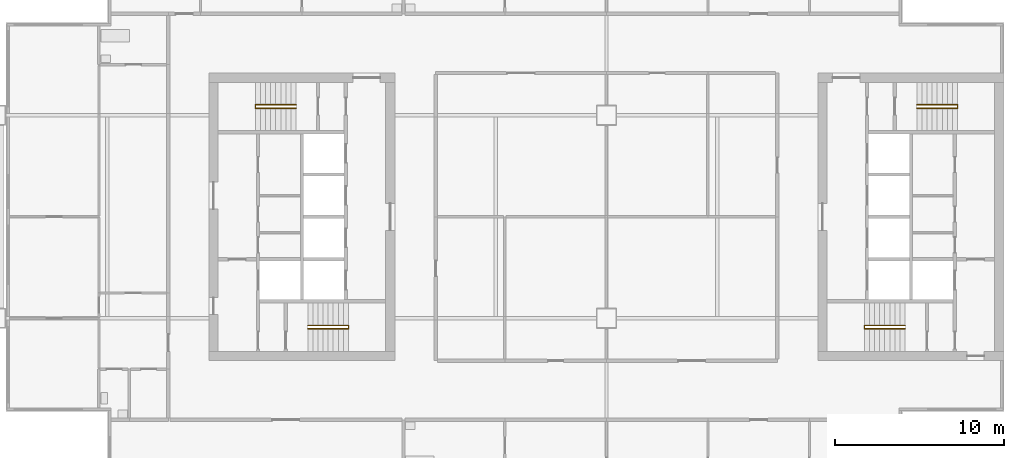
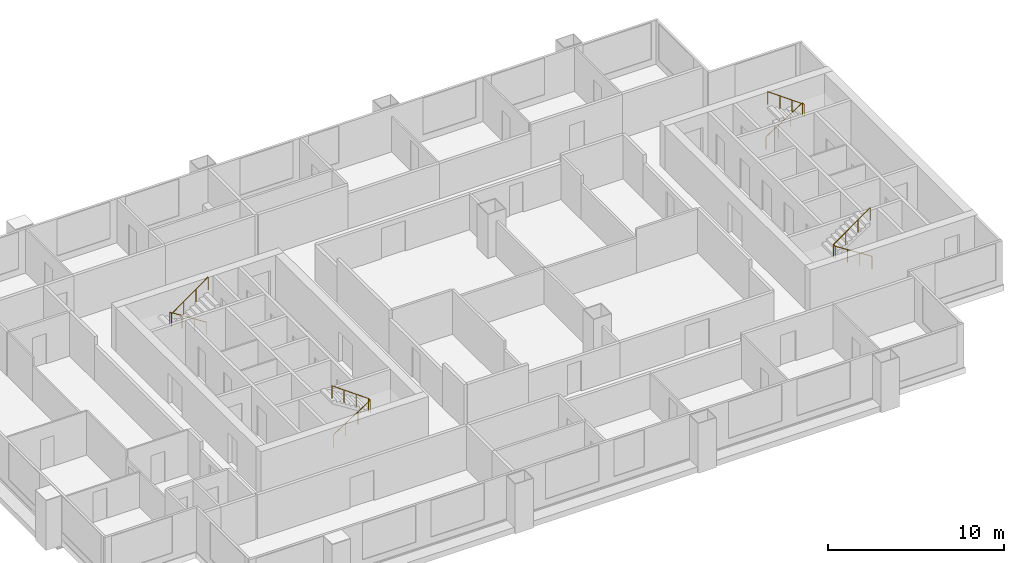
# One storey, part 8 of 9: 4 railings.
"""IFC4 building model written with IfcOpenShell, lengths in metres."""

from ifc_helpers import new_model, si_unit, direction, frame, origin, origin_2d, place, context, subcontext, project, spatial, circle, extrude, material, type_object, element, save


model = new_model("IFC4")

# Units and contexts
model_context = context("Model", 3, precision=1e-05, world=origin(), true_north=direction((0.0, 1.0)))
body_context = subcontext(model_context, "Body", "Model", "MODEL_VIEW")
ifc_project = project(units=[si_unit("LENGTHUNIT", "METRE"), si_unit("AREAUNIT", "SQUARE_METRE"), si_unit("VOLUMEUNIT", "CUBIC_METRE"), si_unit("PLANEANGLEUNIT", "RADIAN"), si_unit("MASSUNIT", "GRAM", prefix="KILO")], contexts=[model_context])

# Site, building, storey
site_placement = place(None, origin())
site = spatial("IfcSite", under=ifc_project, at=site_placement, CompositionType="ELEMENT")
building_placement = place(site_placement, origin())
building = spatial("IfcBuilding", under=site, at=building_placement, Name="Kitamizu Gate Tower and Museum", CompositionType="ELEMENT")
storey_placement = place(building_placement, frame((0.0, 0.0, 210.0)))
storey = spatial("IfcBuildingStorey", under=building, at=storey_placement, Name="L56", CompositionType="ELEMENT", Elevation=210.0)

# Railings
ifc_material = material(Name="Stainless steel SUS304", Category="steel")
railing_type = type_object("IfcRailingType", Name="Stair handrail 900", PredefinedType="HANDRAIL", material=ifc_material)
railing_1_placement = place(storey_placement, frame((18.35009765625, 23.375, 0.191650390625)))
element("IfcRailing", 1, at=railing_1_placement, inside=storey, type_object=railing_type, Name="Stair handrail ST1", PredefinedType="HANDRAIL", context=body_context, shape_type="SweptSolid", body=[
    extrude(circle(Radius=0.02392578125, at=origin_2d()), frame((0.0, 0.0, 0.8759765625), z_axis=(0.842668169335, 0.0, 0.538433242278), x_axis=(0.0, 1.0, 0.0)), (0.0, 0.0, 1.0), 2.847900390625),
    extrude(circle(Radius=0.02392578125, at=origin_2d()), frame((2.39990234375, 0.0, 2.4091796875), z_axis=(0.0, 1.0, 0.0), x_axis=(-1.0, 0.0, 0.0)), (0.0, 0.0, 1.0), 0.199951171875),
    extrude(circle(Radius=0.02392578125, at=origin_2d()), frame((2.39990234375, 0.199951171875, 2.4091796875), z_axis=(-0.81202760531, 0.0, 0.583619026604), x_axis=(0.0, -1.0, 0.0)), (0.0, 0.0, 1.0), 2.955322265625),
    extrude(circle(Radius=0.02099609375, at=origin_2d()), origin(), (0.0, 0.0, 1.0), 0.851806640625),
    extrude(circle(Radius=0.02099609375, at=origin_2d()), frame((0.800048828125, 0.0, 0.51123046875)), (0.0, 0.0, 1.0), 0.851806640625),
    extrude(circle(Radius=0.02099609375, at=origin_2d()), frame((1.599853515625, 0.0, 1.022216796875)), (0.0, 0.0, 1.0), 0.851806640625),
    extrude(circle(Radius=0.02099609375, at=origin_2d()), frame((2.39990234375, 0.0, 1.533447265625)), (0.0, 0.0, 1.0), 0.851806640625),
    extrude(circle(Radius=0.02099609375, at=origin_2d()), frame((2.39990234375, 0.199951171875, 1.533447265625)), (0.0, 0.0, 1.0), 0.851806640625),
    extrude(circle(Radius=0.02099609375, at=origin_2d()), frame((1.599853515625, 0.199951171875, 2.1083984375)), (0.0, 0.0, 1.0), 0.851806640625),
    extrude(circle(Radius=0.02099609375, at=origin_2d()), frame((0.800048828125, 0.199951171875, 2.683349609375)), (0.0, 0.0, 1.0), 0.851806640625),
    extrude(circle(Radius=0.02099609375, at=origin_2d()), frame((0.0, 0.199951171875, 3.25830078125)), (0.0, 0.0, 1.0), 0.851806640625),
])
railing_2_placement = place(storey_placement, frame((17.64990234375, 36.625, 0.191650390625)))
element("IfcRailing", 2, at=railing_2_placement, inside=storey, type_object=railing_type, Name="Stair handrail ST2", PredefinedType="HANDRAIL", context=body_context, shape_type="SweptSolid", body=[
    extrude(circle(Radius=0.02392578125, at=origin_2d()), frame((0.0, 0.0, 0.8759765625), z_axis=(-0.842668169335, 0.0, 0.538433242278), x_axis=(0.0, -1.0, 0.0)), (0.0, 0.0, 1.0), 2.847900390625),
    extrude(circle(Radius=0.02392578125, at=origin_2d()), frame((-2.39990234375, 0.0, 2.4091796875), z_axis=(0.0, -1.0, 0.0), x_axis=(1.0, 0.0, 0.0)), (0.0, 0.0, 1.0), 0.199951171875),
    extrude(circle(Radius=0.02392578125, at=origin_2d()), frame((-2.39990234375, -0.199951171875, 2.4091796875), z_axis=(0.81202760531, 0.0, 0.583619026604), x_axis=(0.0, 1.0, 0.0)), (0.0, 0.0, 1.0), 2.955322265625),
    extrude(circle(Radius=0.02099609375, at=origin_2d()), origin(), (0.0, 0.0, 1.0), 0.851806640625),
    extrude(circle(Radius=0.02099609375, at=origin_2d()), frame((-0.800048828125, 0.0, 0.51123046875)), (0.0, 0.0, 1.0), 0.851806640625),
    extrude(circle(Radius=0.02099609375, at=origin_2d()), frame((-1.599853515625, 0.0, 1.022216796875)), (0.0, 0.0, 1.0), 0.851806640625),
    extrude(circle(Radius=0.02099609375, at=origin_2d()), frame((-2.39990234375, 0.0, 1.533447265625)), (0.0, 0.0, 1.0), 0.851806640625),
    extrude(circle(Radius=0.02099609375, at=origin_2d()), frame((-2.39990234375, -0.199951171875, 1.533447265625)), (0.0, 0.0, 1.0), 0.851806640625),
    extrude(circle(Radius=0.02099609375, at=origin_2d()), frame((-1.599853515625, -0.199951171875, 2.1083984375)), (0.0, 0.0, 1.0), 0.851806640625),
    extrude(circle(Radius=0.02099609375, at=origin_2d()), frame((-0.800048828125, -0.199951171875, 2.683349609375)), (0.0, 0.0, 1.0), 0.851806640625),
    extrude(circle(Radius=0.02099609375, at=origin_2d()), frame((0.0, -0.199951171875, 3.25830078125)), (0.0, 0.0, 1.0), 0.851806640625),
])
railing_3_placement = place(storey_placement, frame((53.64990234375, 23.375, 0.191650390625)))
element("IfcRailing", 3, at=railing_3_placement, inside=storey, type_object=railing_type, Name="Stair handrail ST3", PredefinedType="HANDRAIL", context=body_context, shape_type="SweptSolid", body=[
    extrude(circle(Radius=0.02392578125, at=origin_2d()), frame((0.0, 0.0, 0.8759765625), z_axis=(-0.842668169335, 0.0, 0.538433242278), x_axis=(0.0, -1.0, 0.0)), (0.0, 0.0, 1.0), 2.847900390625),
    extrude(circle(Radius=0.02392578125, at=origin_2d()), frame((-2.39990234375, 0.0, 2.4091796875), z_axis=(0.0, 1.0, 0.0), x_axis=(-1.0, 0.0, 0.0)), (0.0, 0.0, 1.0), 0.199951171875),
    extrude(circle(Radius=0.02392578125, at=origin_2d()), frame((-2.39990234375, 0.199951171875, 2.4091796875), z_axis=(0.81202760531, 0.0, 0.583619026604), x_axis=(0.0, 1.0, 0.0)), (0.0, 0.0, 1.0), 2.955322265625),
    extrude(circle(Radius=0.02099609375, at=origin_2d()), origin(), (0.0, 0.0, 1.0), 0.851806640625),
    extrude(circle(Radius=0.02099609375, at=origin_2d()), frame((-0.800048828125, 0.0, 0.51123046875)), (0.0, 0.0, 1.0), 0.851806640625),
    extrude(circle(Radius=0.02099609375, at=origin_2d()), frame((-1.599853515625, 0.0, 1.022216796875)), (0.0, 0.0, 1.0), 0.851806640625),
    extrude(circle(Radius=0.02099609375, at=origin_2d()), frame((-2.39990234375, 0.0, 1.533447265625)), (0.0, 0.0, 1.0), 0.851806640625),
    extrude(circle(Radius=0.02099609375, at=origin_2d()), frame((-2.39990234375, 0.199951171875, 1.533447265625)), (0.0, 0.0, 1.0), 0.851806640625),
    extrude(circle(Radius=0.02099609375, at=origin_2d()), frame((-1.599853515625, 0.199951171875, 2.1083984375)), (0.0, 0.0, 1.0), 0.851806640625),
    extrude(circle(Radius=0.02099609375, at=origin_2d()), frame((-0.800048828125, 0.199951171875, 2.683349609375)), (0.0, 0.0, 1.0), 0.851806640625),
    extrude(circle(Radius=0.02099609375, at=origin_2d()), frame((0.0, 0.199951171875, 3.25830078125)), (0.0, 0.0, 1.0), 0.851806640625),
])
railing_4_placement = place(storey_placement, frame((54.35009765625, 36.625, 0.191650390625)))
element("IfcRailing", 4, at=railing_4_placement, inside=storey, type_object=railing_type, Name="Stair handrail ST4", PredefinedType="HANDRAIL", context=body_context, shape_type="SweptSolid", body=[
    extrude(circle(Radius=0.02392578125, at=origin_2d()), frame((0.0, 0.0, 0.8759765625), z_axis=(0.842668169335, 0.0, 0.538433242278), x_axis=(0.0, 1.0, 0.0)), (0.0, 0.0, 1.0), 2.847900390625),
    extrude(circle(Radius=0.02392578125, at=origin_2d()), frame((2.39990234375, 0.0, 2.4091796875), z_axis=(0.0, -1.0, 0.0), x_axis=(1.0, 0.0, 0.0)), (0.0, 0.0, 1.0), 0.199951171875),
    extrude(circle(Radius=0.02392578125, at=origin_2d()), frame((2.39990234375, -0.199951171875, 2.4091796875), z_axis=(-0.81202760531, 0.0, 0.583619026604), x_axis=(0.0, -1.0, 0.0)), (0.0, 0.0, 1.0), 2.955322265625),
    extrude(circle(Radius=0.02099609375, at=origin_2d()), origin(), (0.0, 0.0, 1.0), 0.851806640625),
    extrude(circle(Radius=0.02099609375, at=origin_2d()), frame((0.800048828125, 0.0, 0.51123046875)), (0.0, 0.0, 1.0), 0.851806640625),
    extrude(circle(Radius=0.02099609375, at=origin_2d()), frame((1.599853515625, 0.0, 1.022216796875)), (0.0, 0.0, 1.0), 0.851806640625),
    extrude(circle(Radius=0.02099609375, at=origin_2d()), frame((2.39990234375, 0.0, 1.533447265625)), (0.0, 0.0, 1.0), 0.851806640625),
    extrude(circle(Radius=0.02099609375, at=origin_2d()), frame((2.39990234375, -0.199951171875, 1.533447265625)), (0.0, 0.0, 1.0), 0.851806640625),
    extrude(circle(Radius=0.02099609375, at=origin_2d()), frame((1.599853515625, -0.199951171875, 2.1083984375)), (0.0, 0.0, 1.0), 0.851806640625),
    extrude(circle(Radius=0.02099609375, at=origin_2d()), frame((0.800048828125, -0.199951171875, 2.683349609375)), (0.0, 0.0, 1.0), 0.851806640625),
    extrude(circle(Radius=0.02099609375, at=origin_2d()), frame((0.0, -0.199951171875, 3.25830078125)), (0.0, 0.0, 1.0), 0.851806640625),
])

save(model, "model.ifc")
